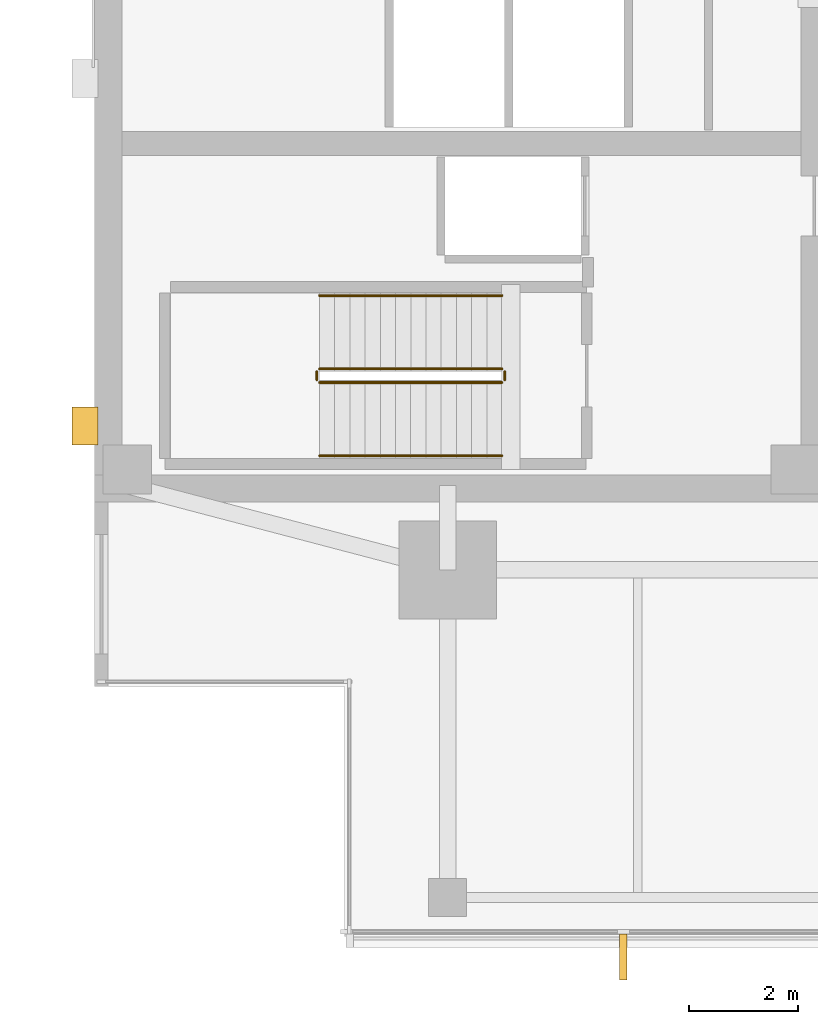
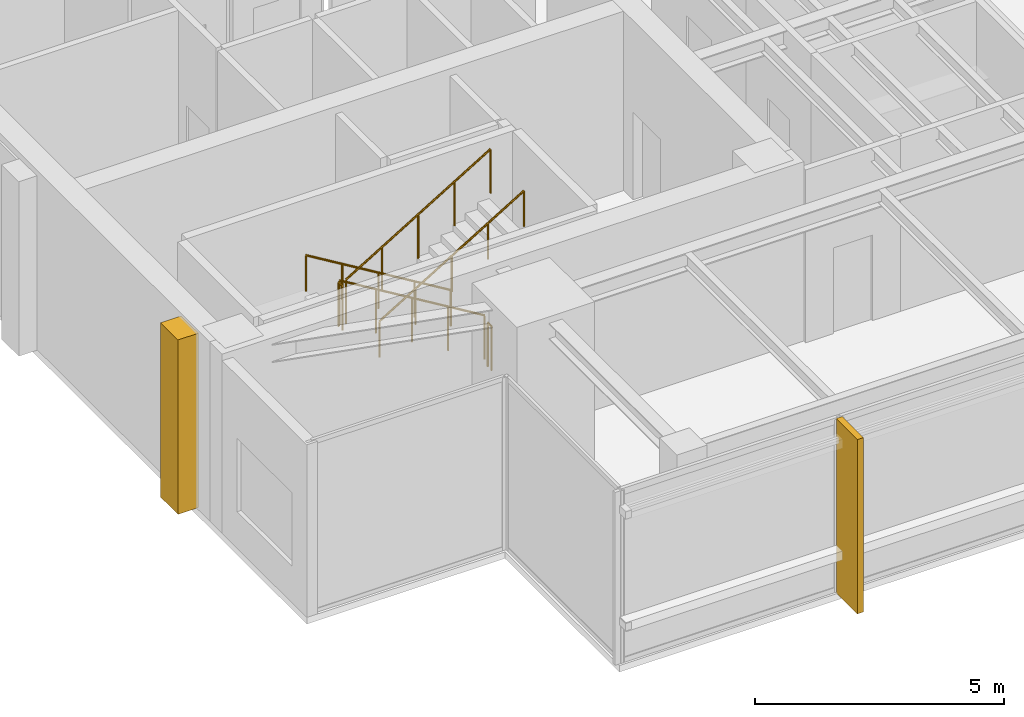
# One storey, part 11 of 14: 6 railings, 2 coverings.
"""IFC4 building model written with IfcOpenShell, lengths in metres."""

from ifc_helpers import new_model, si_unit, direction, frame, origin, origin_2d, place, context, subcontext, project, spatial, polyline, circle, outline, extrude, material, layer, layer_set, type_object, element, save


model = new_model("IFC4")

# Units and contexts
model_context = context("Model", 3, precision=1e-05, world=origin(), true_north=direction((0.0, 1.0)))
body_context = subcontext(model_context, "Body", "Model", "MODEL_VIEW")
ifc_project = project(units=[si_unit("LENGTHUNIT", "METRE"), si_unit("AREAUNIT", "SQUARE_METRE"), si_unit("VOLUMEUNIT", "CUBIC_METRE"), si_unit("PLANEANGLEUNIT", "RADIAN"), si_unit("MASSUNIT", "GRAM", prefix="KILO")], contexts=[model_context])

# Site, building, storey
site_placement = place(None, origin())
site = spatial("IfcSite", under=ifc_project, at=site_placement, CompositionType="ELEMENT")
building_placement = place(site_placement, origin())
building = spatial("IfcBuilding", under=site, at=building_placement, Name="Kinhvarn Gate Tower", CompositionType="ELEMENT")
storey_placement = place(building_placement, frame((0.0, 0.0, 244.85009765625)))
storey = spatial("IfcBuildingStorey", under=building, at=storey_placement, Name="L65", CompositionType="ELEMENT", Elevation=244.85009765625)

# Coverings
ifc_material_1 = material(Name="Fired architectural terracotta", Category="masonry")
ifc_layer_1 = layer(ifc_material_1, 0.139892578125)
ifc_layer_set_1 = layer_set([ifc_layer_1], Name="Fired architectural terracotta")
covering_type_1 = type_object("IfcCoveringType", Name="COV-FIN-850", PredefinedType="CLADDING", material=ifc_layer_set_1)
covering_1_placement = place(storey_placement, frame((0.0, 0.0, -0.02001953125)))
element("IfcCovering", 1, at=covering_1_placement, inside=storey, type_object=covering_type_1, Name="Vertical Terracotta Expressive Fin TFN-850 (L65)", PredefinedType="CLADDING", context=body_context, shape_type="SweptSolid", body=[
    extrude(outline(polyline([(14.163330078125, 6.050048828125), (14.30322265625, 6.050048828125), (14.30322265625, 5.199951171875), (14.163330078125, 5.199951171875), (14.163330078125, 6.050048828125)])), origin(), (0.0, 0.0, 1.0), 4.280029296875),
])
ifc_material_2 = material(Name="Precast white architectural concrete C40/50", Category="concrete")
ifc_layer_2 = layer(ifc_material_2, 0.47998046875)
ifc_layer_set_2 = layer_set([ifc_layer_2], Name="Precast white architectural concrete C40/50")
covering_type_2 = type_object("IfcCoveringType", Name="COV-RIB-450", PredefinedType="CLADDING", material=ifc_layer_set_2)
covering_2_placement = place(storey_placement, frame((0.0, 0.0, -0.02001953125)))
element("IfcCovering", 2, at=covering_2_placement, inside=storey, type_object=covering_type_2, Name="West Core Sculptural Concrete Relief Rib CRB-450 (L65)", PredefinedType="CLADDING", context=body_context, shape_type="SweptSolid", body=[
    extrude(outline(polyline([(4.080078125, 15.050048828125), (4.56005859375, 15.050048828125), (4.56005859375, 15.75), (4.080078125, 15.75), (4.080078125, 15.050048828125)])), origin(), (0.0, 0.0, 1.0), 4.280029296875),
])

# Railings
ifc_material_3 = material(Name="Steel S355", Category="steel")
railing_type_1 = type_object("IfcRailingType", Name="RL-ST-GRD", PredefinedType="BALUSTRADE", material=ifc_material_3)
railing_1_placement = place(storey_placement, frame((12.0, 16.449951171875, 0.169189453125)))
element("IfcRailing", 3, at=railing_1_placement, inside=storey, type_object=railing_type_1, Name="L65 ST1 stair guard 1", PredefinedType="BALUSTRADE", context=body_context, shape_type="SweptSolid", body=[
    extrude(circle(Radius=0.02392578125, at=origin_2d()), frame((0.0, 0.0, 1.076171875), z_axis=(-0.855836976705, 0.0, 0.517245656632), x_axis=(0.0, -1.0, 0.0)), (0.0, 0.0, 1.0), 3.926025390625),
    extrude(circle(Radius=0.02099609375, at=origin_2d()), origin(), (0.0, 0.0, 1.0), 1.052001953125),
    extrude(circle(Radius=0.02099609375, at=origin_2d()), frame((-0.840087890625, 0.0, 0.5078125)), (0.0, 0.0, 1.0), 1.052001953125),
    extrude(circle(Radius=0.02099609375, at=origin_2d()), frame((-1.68017578125, 0.0, 1.015380859375)), (0.0, 0.0, 1.0), 1.052001953125),
    extrude(circle(Radius=0.02099609375, at=origin_2d()), frame((-2.52001953125, 0.0, 1.52294921875)), (0.0, 0.0, 1.0), 1.052001953125),
    extrude(circle(Radius=0.02099609375, at=origin_2d()), frame((-3.360107421875, 0.0, 2.03076171875)), (0.0, 0.0, 1.0), 1.052001953125),
])
railing_2_placement = place(storey_placement, frame((8.590087890625, 16.39990234375, 2.199951171875)))
element("IfcRailing", 4, at=railing_2_placement, inside=storey, type_object=railing_type_1, Name="L65 ST1 stair guard 2", PredefinedType="BALUSTRADE", context=body_context, shape_type="SweptSolid", body=[
    extrude(circle(Radius=0.02392578125, at=origin_2d()), frame((0.0, 0.0, 1.076171875), z_axis=(0.0, -1.0, 0.0), x_axis=(1.0, 0.0, 0.0)), (0.0, 0.0, 1.0), 0.14990234375),
    extrude(circle(Radius=0.02099609375, at=origin_2d()), origin(), (0.0, 0.0, 1.0), 1.052001953125),
    extrude(circle(Radius=0.02099609375, at=origin_2d()), frame((0.0, -0.14990234375, 0.0)), (0.0, 0.0, 1.0), 1.052001953125),
])
railing_3_placement = place(storey_placement, frame((8.639892578125, 16.199951171875, 2.369140625)))
element("IfcRailing", 5, at=railing_3_placement, inside=storey, type_object=railing_type_1, Name="L65 ST1 stair guard 3", PredefinedType="BALUSTRADE", context=body_context, shape_type="SweptSolid", body=[
    extrude(circle(Radius=0.02392578125, at=origin_2d()), frame((0.0, 0.0, 1.076171875), z_axis=(0.855836976705, 0.0, 0.517245656632), x_axis=(0.0, 1.0, 0.0)), (0.0, 0.0, 1.0), 3.926025390625),
    extrude(circle(Radius=0.02099609375, at=origin_2d()), origin(), (0.0, 0.0, 1.0), 1.052001953125),
    extrude(circle(Radius=0.02099609375, at=origin_2d()), frame((0.840087890625, 0.0, 0.5078125)), (0.0, 0.0, 1.0), 1.052001953125),
    extrude(circle(Radius=0.02099609375, at=origin_2d()), frame((1.68017578125, 0.0, 1.015380859375)), (0.0, 0.0, 1.0), 1.052001953125),
    extrude(circle(Radius=0.02099609375, at=origin_2d()), frame((2.52001953125, 0.0, 1.52294921875)), (0.0, 0.0, 1.0), 1.052001953125),
    extrude(circle(Radius=0.02099609375, at=origin_2d()), frame((3.360107421875, 0.0, 2.03076171875)), (0.0, 0.0, 1.0), 1.052001953125),
])
railing_4_placement = place(storey_placement, frame((12.050048828125, 16.39990234375, 0.0)))
element("IfcRailing", 6, at=railing_4_placement, inside=storey, type_object=railing_type_1, Name="L65 ST1 stair guard 4", PredefinedType="BALUSTRADE", context=body_context, shape_type="SweptSolid", body=[
    extrude(circle(Radius=0.02392578125, at=origin_2d()), frame((0.0, 0.0, 1.076171875), z_axis=(0.0, -1.0, 0.0), x_axis=(1.0, 0.0, 0.0)), (0.0, 0.0, 1.0), 0.14990234375),
    extrude(circle(Radius=0.02099609375, at=origin_2d()), origin(), (0.0, 0.0, 1.0), 1.052001953125),
    extrude(circle(Radius=0.02099609375, at=origin_2d()), frame((0.0, -0.14990234375, 0.0)), (0.0, 0.0, 1.0), 1.052001953125),
])
railing_type_2 = type_object("IfcRailingType", Name="RL-ST-HND", PredefinedType="HANDRAIL", material=ifc_material_3)
railing_5_placement = place(storey_placement, frame((12.0, 17.800048828125, 0.169189453125)))
element("IfcRailing", 7, at=railing_5_placement, inside=storey, type_object=railing_type_2, Name="L65 ST1 stair handrail 1", PredefinedType="HANDRAIL", context=body_context, shape_type="SweptSolid", body=[
    extrude(circle(Radius=0.02392578125, at=origin_2d()), frame((0.0, 0.0, 0.8759765625), z_axis=(-0.855836976705, 0.0, 0.517245656632), x_axis=(0.0, -1.0, 0.0)), (0.0, 0.0, 1.0), 3.926025390625),
    extrude(circle(Radius=0.02099609375, at=origin_2d()), origin(), (0.0, 0.0, 1.0), 0.851806640625),
    extrude(circle(Radius=0.02099609375, at=origin_2d()), frame((-0.840087890625, 0.0, 0.5078125)), (0.0, 0.0, 1.0), 0.851806640625),
    extrude(circle(Radius=0.02099609375, at=origin_2d()), frame((-1.68017578125, 0.0, 1.015380859375)), (0.0, 0.0, 1.0), 0.851806640625),
    extrude(circle(Radius=0.02099609375, at=origin_2d()), frame((-2.52001953125, 0.0, 1.52294921875)), (0.0, 0.0, 1.0), 0.851806640625),
    extrude(circle(Radius=0.02099609375, at=origin_2d()), frame((-3.360107421875, 0.0, 2.03076171875)), (0.0, 0.0, 1.0), 0.851806640625),
])
railing_6_placement = place(storey_placement, frame((8.639892578125, 14.85009765625, 2.369140625)))
element("IfcRailing", 8, at=railing_6_placement, inside=storey, type_object=railing_type_2, Name="L65 ST1 stair handrail 2", PredefinedType="HANDRAIL", context=body_context, shape_type="SweptSolid", body=[
    extrude(circle(Radius=0.02392578125, at=origin_2d()), frame((0.0, 0.0, 0.8759765625), z_axis=(0.855836976705, 0.0, 0.517245656632), x_axis=(0.0, 1.0, 0.0)), (0.0, 0.0, 1.0), 3.926025390625),
    extrude(circle(Radius=0.02099609375, at=origin_2d()), origin(), (0.0, 0.0, 1.0), 0.851806640625),
    extrude(circle(Radius=0.02099609375, at=origin_2d()), frame((0.840087890625, 0.0, 0.5078125)), (0.0, 0.0, 1.0), 0.851806640625),
    extrude(circle(Radius=0.02099609375, at=origin_2d()), frame((1.68017578125, 0.0, 1.015380859375)), (0.0, 0.0, 1.0), 0.851806640625),
    extrude(circle(Radius=0.02099609375, at=origin_2d()), frame((2.52001953125, 0.0, 1.52294921875)), (0.0, 0.0, 1.0), 0.851806640625),
    extrude(circle(Radius=0.02099609375, at=origin_2d()), frame((3.360107421875, 0.0, 2.03076171875)), (0.0, 0.0, 1.0), 0.851806640625),
])

save(model, "model.ifc")
